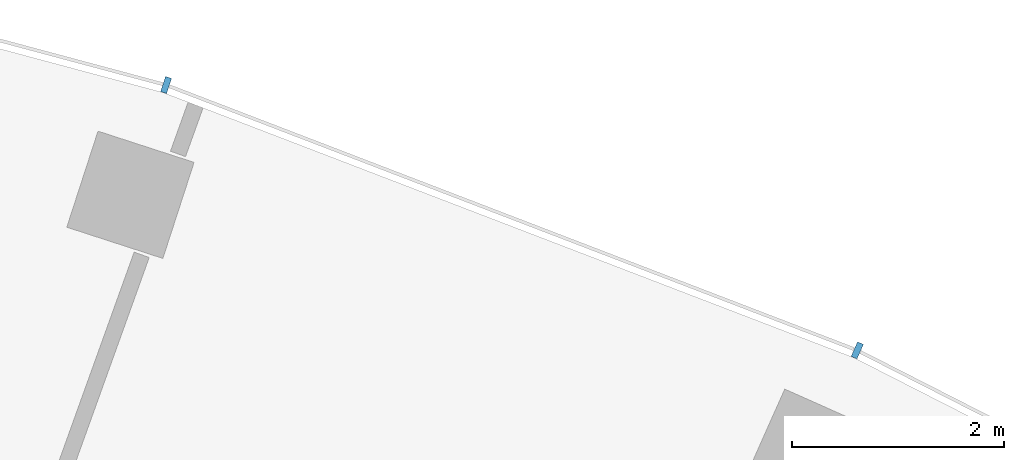
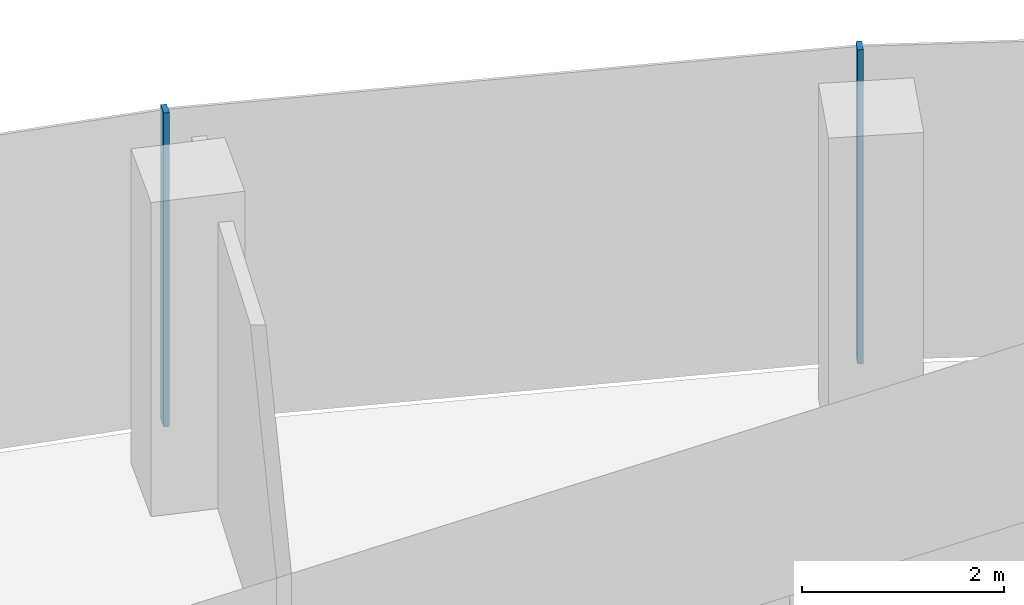
# One storey, part 9 of 18: 2 members, 1 element without a shape of its own.
"""IFC4 building model written with IfcOpenShell, lengths in metres."""

from ifc_helpers import new_model, si_unit, direction, frame, origin, origin_2d, place, context, subcontext, project, spatial, rectangle, extrude, material, layer, layer_set, material_profile, profile_set, type_object, element, aggregate, save


model = new_model("IFC4")

# Units and contexts
model_context = context("Model", 3, precision=1e-05, world=origin(), true_north=direction((0.0, 1.0)))
body_context = subcontext(model_context, "Body", "Model", "MODEL_VIEW")
ifc_project = project(units=[si_unit("LENGTHUNIT", "METRE"), si_unit("AREAUNIT", "SQUARE_METRE"), si_unit("VOLUMEUNIT", "CUBIC_METRE"), si_unit("PLANEANGLEUNIT", "RADIAN"), si_unit("MASSUNIT", "GRAM", prefix="KILO")], contexts=[model_context])

# Site, building, storey
site_placement = place(None, origin())
site = spatial("IfcSite", under=ifc_project, at=site_placement, CompositionType="ELEMENT")
building_placement = place(site_placement, origin())
building = spatial("IfcBuilding", under=site, at=building_placement, Name="Stone Belt Terrace Tower", CompositionType="ELEMENT")
storey_placement = place(building_placement, frame((0.0, 0.0, 220.0)))
storey = spatial("IfcBuildingStorey", under=building, at=storey_placement, Name="L53", CompositionType="ELEMENT", Elevation=220.0)

# Curtain wall, members
ifc_material = material(Name="Aluminium 6063-T6 anodised frame", Category="aluminium")
ifc_layer = layer(ifc_material, 0.14990234375)
ifc_layer_set = layer_set([ifc_layer], Name="CW-A unitised convex-face curtain wall")
curtain_wall_type = type_object("IfcCurtainWallType", Name="CW-A unitised convex-face curtain wall", PredefinedType="NOTDEFINED", material=ifc_layer_set)
curtain_wall_placement = place(storey_placement, origin())
curtain_wall = element("IfcCurtainWall", 1, at=curtain_wall_placement, inside=storey, type_object=curtain_wall_type, Name="CW-A convex face L53", PredefinedType="NOTDEFINED")
ifc_material_profile = material_profile(ifc_material, rectangle(XDim=0.14990234375, YDim=0.06005859375, at=origin_2d()), Name="Aluminium 6063-T6 60x150")
ifc_profile_set = profile_set([ifc_material_profile], Name="Aluminium 6063-T6 anodised frame")
member_type = type_object("IfcMemberType", Name="CW-A mullion 60 x 150", PredefinedType="MULLION", material=ifc_profile_set)
member_1_placement = place(storey_placement, frame((27.07861328125, 60.8193359375, 0.0), z_axis=(0.0, 0.0, 1.0), x_axis=(-0.406736643076, -0.913545457643, 0.0)))
member_1 = element("IfcMember", 2, at=member_1_placement, type_object=member_type, Name="CW-A mullion 5", PredefinedType="MULLION", context=body_context, shape_type="SweptSolid", body=[
    extrude(rectangle(XDim=0.14990234375, YDim=0.06005859375, at=origin_2d()), origin(), (0.0, 0.0, 1.0), 3.800048828125),
])
member_2_placement = place(storey_placement, frame((20.57275390625, 63.316650390625, 0.0), z_axis=(0.0, 0.0, 1.0), x_axis=(-0.309016994375, -0.951056516295, 0.0)))
member_2 = element("IfcMember", 3, at=member_2_placement, type_object=member_type, Name="CW-A mullion 6", PredefinedType="MULLION", context=body_context, shape_type="SweptSolid", body=[
    extrude(rectangle(XDim=0.14990234375, YDim=0.06005859375, at=origin_2d()), origin(), (0.0, 0.0, 1.0), 3.800048828125),
])
aggregate(curtain_wall, [member_1, member_2])

save(model, "model.ifc")
